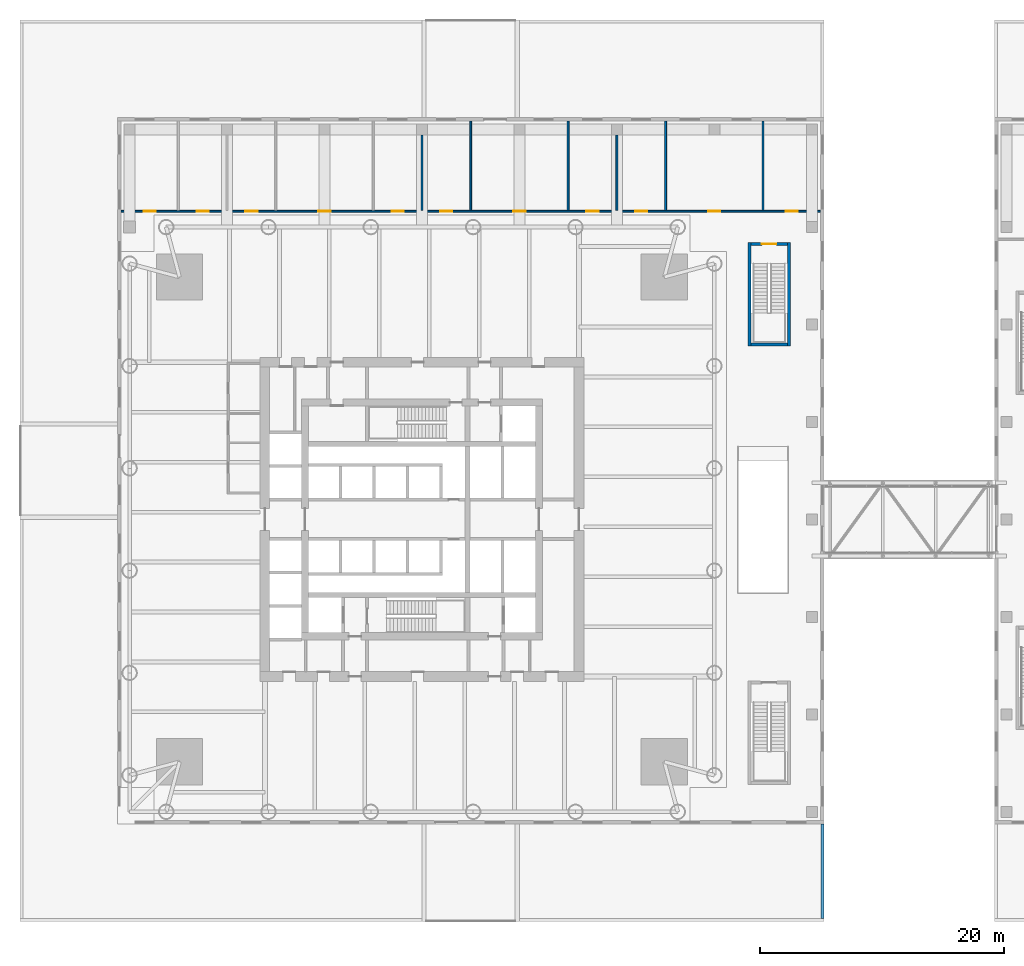
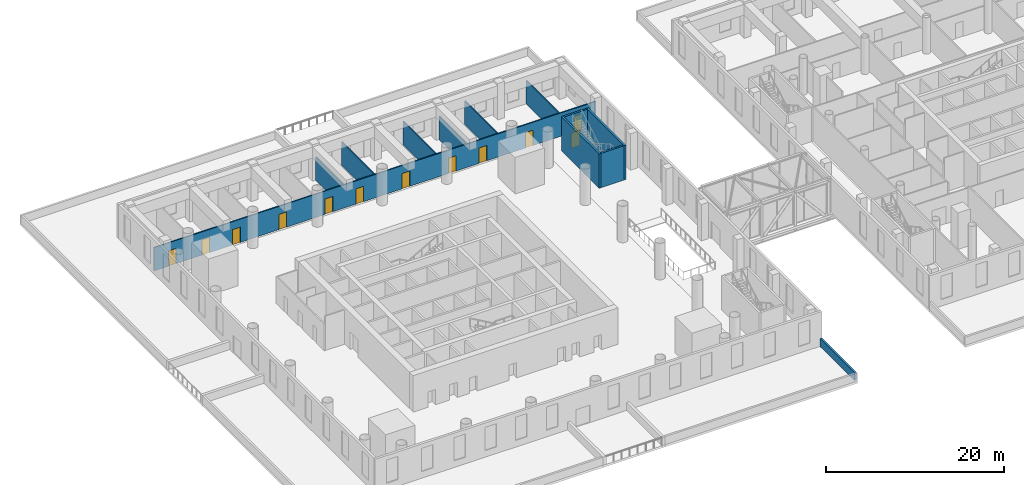
# One storey, part 12 of 23: 12 doors, 12 walls, 12 openings.
"""IFC4 building model written with IfcOpenShell, lengths in metres."""

from ifc_helpers import new_model, si_unit, direction, frame, frame_2d, origin, place, context, subcontext, project, spatial, rectangle, extrude, material, layer, layer_set, type_object, element, fill, save


model = new_model("IFC4")

# Units and contexts
model_context = context("Model", 3, precision=1e-05, world=origin(), true_north=direction((0.0, 1.0)))
body_context = subcontext(model_context, "Body", "Model", "MODEL_VIEW")
ifc_project = project(units=[si_unit("LENGTHUNIT", "METRE"), si_unit("AREAUNIT", "SQUARE_METRE"), si_unit("VOLUMEUNIT", "CUBIC_METRE"), si_unit("PLANEANGLEUNIT", "RADIAN"), si_unit("MASSUNIT", "GRAM", prefix="KILO")], contexts=[model_context])

# Site, building, storey
site_placement = place(None, origin())
site = spatial("IfcSite", under=ifc_project, at=site_placement, CompositionType="ELEMENT")
building_placement = place(site_placement, origin())
building = spatial("IfcBuilding", under=site, at=building_placement, Name="Ostroluk Exchange", CompositionType="ELEMENT")
storey_placement = place(building_placement, frame((0.0, 0.0, 11.0)))
storey = spatial("IfcBuildingStorey", under=building, at=storey_placement, Name="L02", CompositionType="ELEMENT", Elevation=11.0)

# Walls
ifc_material_1 = material(Name="Concrete blockwork", Category="masonry")
ifc_layer_1 = layer(ifc_material_1, 0.25)
ifc_layer_set_1 = layer_set([ifc_layer_1], Name="Blockwork stair enclosure wall 250")
wall_type_1 = type_object("IfcWallType", Name="Blockwork stair enclosure wall 250", PredefinedType="SOLIDWALL", material=ifc_layer_set_1)
for number, where, z_axis, x_axis, name in (
    (1, (71.875, 60.25, 0.0), (0.0, 0.0, 1.0), (0.0, 1.0, 0.0), "Stair PS4 enclosure wall"),
    (2, (75.125, 60.25, 0.0), (0.0, 0.0, 1.0), (0.0, 1.0, 0.0), "Stair PS4 enclosure wall"),
):
    element("IfcWall", number, at=place(storey_placement, frame(where, z_axis=z_axis, x_axis=x_axis)), inside=storey, type_object=wall_type_1, Name=name, PredefinedType="SOLIDWALL", context=body_context, shape_type="SweptSolid", body=[
        extrude(rectangle(XDim=8.5, YDim=0.25, at=frame_2d((4.25, 0.0))), origin(), (0.0, 0.0, 1.0), 4.699951171875),
    ])
wall_1_placement = place(storey_placement, frame((72.0, 60.375, 0.0), z_axis=(0.0, 0.0, 1.0), x_axis=(1.0, 0.0, 0.0)))
element("IfcWall", 3, at=wall_1_placement, inside=storey, type_object=wall_type_1, Name="Stair PS4 enclosure wall", PredefinedType="SOLIDWALL", context=body_context, shape_type="SweptSolid", body=[
    extrude(rectangle(XDim=3.0, YDim=0.25, at=frame_2d((1.5, 0.0))), origin(), (0.0, 0.0, 1.0), 4.699951171875),
])

# Wall, opening, door
wall_2_placement = place(storey_placement, frame((72.0, 68.625, 0.0), z_axis=(0.0, 0.0, 1.0), x_axis=(1.0, 0.0, 0.0)))
wall_2 = element("IfcWall", 4, at=wall_2_placement, inside=storey, type_object=wall_type_1, Name="Stair PS4 enclosure wall", PredefinedType="SOLIDWALL", context=body_context, shape_type="SweptSolid", body=[
    extrude(rectangle(XDim=3.0, YDim=0.25, at=frame_2d((1.5, 0.0))), origin(), (0.0, 0.0, 1.0), 4.699951171875),
])
opening_1_placement = place(wall_2_placement, frame((0.89990234375, 0.0, 0.0)))
opening_1 = element("IfcOpeningElement", 5, at=opening_1_placement, cuts=wall_2, Name="Opening FD60S", PredefinedType="OPENING", context=body_context, shape_type="SweptSolid", body=[
    extrude(rectangle(XDim=1.199951171875, YDim=2.10009765625, at=frame_2d((0.60009765625, 1.050048828125))), frame((0.0, 0.135009765625, 0.0), z_axis=(0.0, -1.0, 0.0), x_axis=(1.0, 0.0, 0.0)), (0.0, 0.0, 1.0), 0.27001953125),
])
ifc_material_2 = material(Name="Steel", Category="steel")
door_type_1 = type_object("IfcDoorType", Name="Stair door EI 60 1200 x 2100", OperationType="SINGLE_SWING_LEFT", PredefinedType="DOOR", material=ifc_material_2)
door_1_placement = place(opening_1_placement, origin())
door_1 = element("IfcDoor", 6, at=door_1_placement, inside=storey, type_object=door_type_1, Name="Stair PS4 door", OperationType="SINGLE_SWING_LEFT", OverallHeight=2.10009765625, OverallWidth=1.199951171875, PredefinedType="DOOR", context=body_context, shape_type="SweptSolid", body=[
    extrude(rectangle(XDim=1.199951171875, YDim=2.10009765625, at=frame_2d((0.60009765625, 1.050048828125))), frame((0.0, 0.02490234375, 0.0), z_axis=(0.0, -1.0, 0.0), x_axis=(1.0, 0.0, 0.0)), (0.0, 0.0, 1.0), 0.050048828125),
])
fill(opening_1, door_1)

# Wall
ifc_material_3 = material(Name="Limestone", Category="masonry")
ifc_layer_2 = layer(ifc_material_3, 0.25)
ifc_layer_set_2 = layer_set([ifc_layer_2], Name="Green roof parapet 250")
wall_type_2 = type_object("IfcWallType", Name="Green roof parapet 250", PredefinedType="PARAPET", material=ifc_layer_set_2)
wall_3_placement = place(storey_placement, frame((77.875, 13.25, 0.0), z_axis=(0.0, 0.0, 1.0), x_axis=(0.0, 1.0, 0.0)))
element("IfcWall", 7, at=wall_3_placement, inside=storey, type_object=wall_type_2, Name="Green roof parapet L02 2", PredefinedType="PARAPET", context=body_context, shape_type="SweptSolid", body=[
    extrude(rectangle(XDim=7.739990234375, YDim=0.25, at=frame_2d((3.8701171875, 0.0))), origin(), (0.0, 0.0, 1.0), 1.10009765625),
])

# Wall, openings, doors
ifc_material_4 = material(Name="Gypsum plasterboard partition", Category="gypsum")
ifc_layer_3 = layer(ifc_material_4, 0.14990234375)
ifc_layer_set_3 = layer_set([ifc_layer_3], Name="Plasterboard partition 150")
wall_type_3 = type_object("IfcWallType", Name="Plasterboard partition 150", PredefinedType="PARTITIONING", material=ifc_layer_set_3)
wall_4_placement = place(storey_placement, frame((20.300048828125, 71.300048828125, 0.0), z_axis=(0.0, 0.0, 1.0), x_axis=(1.0, 0.0, 0.0)))
wall_4 = element("IfcWall", 8, at=wall_4_placement, inside=storey, type_object=wall_type_3, Name="Partition", PredefinedType="PARTITIONING", context=body_context, shape_type="SweptSolid", body=[
    extrude(rectangle(XDim=57.39990234375, YDim=0.14990234375, at=frame_2d((28.699951171875, 0.0))), origin(), (0.0, 0.0, 1.0), 3.199951171875),
])
opening_2_placement = place(wall_4_placement, frame((1.85009765625, 0.0, 0.0)))
opening_2 = element("IfcOpeningElement", 9, at=opening_2_placement, cuts=wall_4, Name="Opening D-03", PredefinedType="OPENING", context=body_context, shape_type="SweptSolid", body=[
    extrude(rectangle(XDim=1.0, YDim=2.10009765625, at=frame_2d((0.5, 1.050048828125))), frame((0.0, 0.0849609375, 0.0), z_axis=(0.0, -1.0, 0.0), x_axis=(1.0, 0.0, 0.0)), (0.0, 0.0, 1.0), 0.169921875),
])
opening_3_placement = place(wall_4_placement, frame((6.199951171875, 0.0, 0.0)))
opening_3 = element("IfcOpeningElement", 10, at=opening_3_placement, cuts=wall_4, Name="Opening D-03", PredefinedType="OPENING", context=body_context, shape_type="SweptSolid", body=[
    extrude(rectangle(XDim=1.0, YDim=2.10009765625, at=frame_2d((0.5, 1.050048828125))), frame((0.0, 0.0849609375, 0.0), z_axis=(0.0, -1.0, 0.0), x_axis=(1.0, 0.0, 0.0)), (0.0, 0.0, 1.0), 0.169921875),
])
opening_4_placement = place(wall_4_placement, frame((10.199951171875, 0.0, 0.0)))
opening_4 = element("IfcOpeningElement", 11, at=opening_4_placement, cuts=wall_4, Name="Opening D-03", PredefinedType="OPENING", context=body_context, shape_type="SweptSolid", body=[
    extrude(rectangle(XDim=1.0, YDim=2.10009765625, at=frame_2d((0.5, 1.050048828125))), frame((0.0, 0.0849609375, 0.0), z_axis=(0.0, -1.0, 0.0), x_axis=(1.0, 0.0, 0.0)), (0.0, 0.0, 1.0), 0.169921875),
])
opening_5_placement = place(wall_4_placement, frame((16.199951171875, 0.0, 0.0)))
opening_5 = element("IfcOpeningElement", 12, at=opening_5_placement, cuts=wall_4, Name="Opening D-03", PredefinedType="OPENING", context=body_context, shape_type="SweptSolid", body=[
    extrude(rectangle(XDim=1.0, YDim=2.10009765625, at=frame_2d((0.5, 1.050048828125))), frame((0.0, 0.0849609375, 0.0), z_axis=(0.0, -1.0, 0.0), x_axis=(1.0, 0.0, 0.0)), (0.0, 0.0, 1.0), 0.169921875),
])
opening_6_placement = place(wall_4_placement, frame((22.199951171875, 0.0, 0.0)))
opening_6 = element("IfcOpeningElement", 13, at=opening_6_placement, cuts=wall_4, Name="Opening D-03", PredefinedType="OPENING", context=body_context, shape_type="SweptSolid", body=[
    extrude(rectangle(XDim=1.0, YDim=2.10009765625, at=frame_2d((0.5, 1.050048828125))), frame((0.0, 0.0849609375, 0.0), z_axis=(0.0, -1.0, 0.0), x_axis=(1.0, 0.0, 0.0)), (0.0, 0.0, 1.0), 0.169921875),
])
opening_7_placement = place(wall_4_placement, frame((26.199951171875, 0.0, 0.0)))
opening_7 = element("IfcOpeningElement", 14, at=opening_7_placement, cuts=wall_4, Name="Opening D-03", PredefinedType="OPENING", context=body_context, shape_type="SweptSolid", body=[
    extrude(rectangle(XDim=1.0, YDim=2.10009765625, at=frame_2d((0.5, 1.050048828125))), frame((0.0, 0.0849609375, 0.0), z_axis=(0.0, -1.0, 0.0), x_axis=(1.0, 0.0, 0.0)), (0.0, 0.0, 1.0), 0.169921875),
])
opening_8_placement = place(wall_4_placement, frame((32.199951171875, 0.0, 0.0)))
opening_8 = element("IfcOpeningElement", 15, at=opening_8_placement, cuts=wall_4, Name="Opening D-03", PredefinedType="OPENING", context=body_context, shape_type="SweptSolid", body=[
    extrude(rectangle(XDim=1.0, YDim=2.10009765625, at=frame_2d((0.5, 1.050048828125))), frame((0.0, 0.0849609375, 0.0), z_axis=(0.0, -1.0, 0.0), x_axis=(1.0, 0.0, 0.0)), (0.0, 0.0, 1.0), 0.169921875),
])
opening_9_placement = place(wall_4_placement, frame((38.199951171875, 0.0, 0.0)))
opening_9 = element("IfcOpeningElement", 16, at=opening_9_placement, cuts=wall_4, Name="Opening D-03", PredefinedType="OPENING", context=body_context, shape_type="SweptSolid", body=[
    extrude(rectangle(XDim=1.0, YDim=2.10009765625, at=frame_2d((0.5, 1.050048828125))), frame((0.0, 0.0849609375, 0.0), z_axis=(0.0, -1.0, 0.0), x_axis=(1.0, 0.0, 0.0)), (0.0, 0.0, 1.0), 0.169921875),
])
opening_10_placement = place(wall_4_placement, frame((42.199951171875, 0.0, 0.0)))
opening_10 = element("IfcOpeningElement", 17, at=opening_10_placement, cuts=wall_4, Name="Opening D-03", PredefinedType="OPENING", context=body_context, shape_type="SweptSolid", body=[
    extrude(rectangle(XDim=1.0, YDim=2.10009765625, at=frame_2d((0.5, 1.050048828125))), frame((0.0, 0.0849609375, 0.0), z_axis=(0.0, -1.0, 0.0), x_axis=(1.0, 0.0, 0.0)), (0.0, 0.0, 1.0), 0.169921875),
])
opening_11_placement = place(wall_4_placement, frame((48.199951171875, 0.0, 0.0)))
opening_11 = element("IfcOpeningElement", 18, at=opening_11_placement, cuts=wall_4, Name="Opening D-03", PredefinedType="OPENING", context=body_context, shape_type="SweptSolid", body=[
    extrude(rectangle(XDim=1.0, YDim=2.10009765625, at=frame_2d((0.5, 1.050048828125))), frame((0.0, 0.0849609375, 0.0), z_axis=(0.0, -1.0, 0.0), x_axis=(1.0, 0.0, 0.0)), (0.0, 0.0, 1.0), 0.169921875),
])
opening_12_placement = place(wall_4_placement, frame((54.550048828125, 0.0, 0.0)))
opening_12 = element("IfcOpeningElement", 19, at=opening_12_placement, cuts=wall_4, Name="Opening D-03", PredefinedType="OPENING", context=body_context, shape_type="SweptSolid", body=[
    extrude(rectangle(XDim=1.0, YDim=2.10009765625, at=frame_2d((0.5, 1.050048828125))), frame((0.0, 0.0849609375, 0.0), z_axis=(0.0, -1.0, 0.0), x_axis=(1.0, 0.0, 0.0)), (0.0, 0.0, 1.0), 0.169921875),
])
ifc_material_5 = material(Name="Timber", Category="wood")
door_type_2 = type_object("IfcDoorType", Name="Internal door 1000 x 2100", OperationType="SINGLE_SWING_LEFT", PredefinedType="DOOR", material=ifc_material_5)
door_2_placement = place(opening_2_placement, origin())
door_2 = element("IfcDoor", 20, at=door_2_placement, inside=storey, type_object=door_type_2, Name="Meeting room door", OperationType="SINGLE_SWING_LEFT", OverallHeight=2.10009765625, OverallWidth=1.0, PredefinedType="DOOR", context=body_context, shape_type="SweptSolid", body=[
    extrude(rectangle(XDim=1.0, YDim=2.10009765625, at=frame_2d((0.5, 1.050048828125))), frame((0.0, 0.02490234375, 0.0), z_axis=(0.0, -1.0, 0.0), x_axis=(1.0, 0.0, 0.0)), (0.0, 0.0, 1.0), 0.050048828125),
])
fill(opening_2, door_2)
door_3_placement = place(opening_3_placement, origin())
door_3 = element("IfcDoor", 21, at=door_3_placement, inside=storey, type_object=door_type_2, Name="Meeting room door", OperationType="SINGLE_SWING_LEFT", OverallHeight=2.10009765625, OverallWidth=1.0, PredefinedType="DOOR", context=body_context, shape_type="SweptSolid", body=[
    extrude(rectangle(XDim=1.0, YDim=2.10009765625, at=frame_2d((0.5, 1.050048828125))), frame((0.0, 0.02490234375, 0.0), z_axis=(0.0, -1.0, 0.0), x_axis=(1.0, 0.0, 0.0)), (0.0, 0.0, 1.0), 0.050048828125),
])
fill(opening_3, door_3)
door_4_placement = place(opening_4_placement, origin())
door_4 = element("IfcDoor", 22, at=door_4_placement, inside=storey, type_object=door_type_2, Name="Meeting room door", OperationType="SINGLE_SWING_LEFT", OverallHeight=2.10009765625, OverallWidth=1.0, PredefinedType="DOOR", context=body_context, shape_type="SweptSolid", body=[
    extrude(rectangle(XDim=1.0, YDim=2.10009765625, at=frame_2d((0.5, 1.050048828125))), frame((0.0, 0.02490234375, 0.0), z_axis=(0.0, -1.0, 0.0), x_axis=(1.0, 0.0, 0.0)), (0.0, 0.0, 1.0), 0.050048828125),
])
fill(opening_4, door_4)
door_5_placement = place(opening_5_placement, origin())
door_5 = element("IfcDoor", 23, at=door_5_placement, inside=storey, type_object=door_type_2, Name="Meeting room door", OperationType="SINGLE_SWING_LEFT", OverallHeight=2.10009765625, OverallWidth=1.0, PredefinedType="DOOR", context=body_context, shape_type="SweptSolid", body=[
    extrude(rectangle(XDim=1.0, YDim=2.10009765625, at=frame_2d((0.5, 1.050048828125))), frame((0.0, 0.02490234375, 0.0), z_axis=(0.0, -1.0, 0.0), x_axis=(1.0, 0.0, 0.0)), (0.0, 0.0, 1.0), 0.050048828125),
])
fill(opening_5, door_5)
door_6_placement = place(opening_6_placement, origin())
door_6 = element("IfcDoor", 24, at=door_6_placement, inside=storey, type_object=door_type_2, Name="Meeting room door", OperationType="SINGLE_SWING_LEFT", OverallHeight=2.10009765625, OverallWidth=1.0, PredefinedType="DOOR", context=body_context, shape_type="SweptSolid", body=[
    extrude(rectangle(XDim=1.0, YDim=2.10009765625, at=frame_2d((0.5, 1.050048828125))), frame((0.0, 0.02490234375, 0.0), z_axis=(0.0, -1.0, 0.0), x_axis=(1.0, 0.0, 0.0)), (0.0, 0.0, 1.0), 0.050048828125),
])
fill(opening_6, door_6)
door_7_placement = place(opening_7_placement, origin())
door_7 = element("IfcDoor", 25, at=door_7_placement, inside=storey, type_object=door_type_2, Name="Meeting room door", OperationType="SINGLE_SWING_LEFT", OverallHeight=2.10009765625, OverallWidth=1.0, PredefinedType="DOOR", context=body_context, shape_type="SweptSolid", body=[
    extrude(rectangle(XDim=1.0, YDim=2.10009765625, at=frame_2d((0.5, 1.050048828125))), frame((0.0, 0.02490234375, 0.0), z_axis=(0.0, -1.0, 0.0), x_axis=(1.0, 0.0, 0.0)), (0.0, 0.0, 1.0), 0.050048828125),
])
fill(opening_7, door_7)
door_8_placement = place(opening_8_placement, origin())
door_8 = element("IfcDoor", 26, at=door_8_placement, inside=storey, type_object=door_type_2, Name="Meeting room door", OperationType="SINGLE_SWING_RIGHT", OverallHeight=2.10009765625, OverallWidth=1.0, PredefinedType="DOOR", context=body_context, shape_type="SweptSolid", body=[
    extrude(rectangle(XDim=1.0, YDim=2.10009765625, at=frame_2d((0.5, 1.050048828125))), frame((0.0, 0.02490234375, 0.0), z_axis=(0.0, -1.0, 0.0), x_axis=(1.0, 0.0, 0.0)), (0.0, 0.0, 1.0), 0.050048828125),
])
fill(opening_8, door_8)
door_9_placement = place(opening_9_placement, origin())
door_9 = element("IfcDoor", 27, at=door_9_placement, inside=storey, type_object=door_type_2, Name="Meeting room door", OperationType="SINGLE_SWING_RIGHT", OverallHeight=2.10009765625, OverallWidth=1.0, PredefinedType="DOOR", context=body_context, shape_type="SweptSolid", body=[
    extrude(rectangle(XDim=1.0, YDim=2.10009765625, at=frame_2d((0.5, 1.050048828125))), frame((0.0, 0.02490234375, 0.0), z_axis=(0.0, -1.0, 0.0), x_axis=(1.0, 0.0, 0.0)), (0.0, 0.0, 1.0), 0.050048828125),
])
fill(opening_9, door_9)
door_10_placement = place(opening_10_placement, origin())
door_10 = element("IfcDoor", 28, at=door_10_placement, inside=storey, type_object=door_type_2, Name="Meeting room door", OperationType="SINGLE_SWING_RIGHT", OverallHeight=2.10009765625, OverallWidth=1.0, PredefinedType="DOOR", context=body_context, shape_type="SweptSolid", body=[
    extrude(rectangle(XDim=1.0, YDim=2.10009765625, at=frame_2d((0.5, 1.050048828125))), frame((0.0, 0.02490234375, 0.0), z_axis=(0.0, -1.0, 0.0), x_axis=(1.0, 0.0, 0.0)), (0.0, 0.0, 1.0), 0.050048828125),
])
fill(opening_10, door_10)
door_11_placement = place(opening_11_placement, origin())
door_11 = element("IfcDoor", 29, at=door_11_placement, inside=storey, type_object=door_type_2, Name="Meeting room door", OperationType="SINGLE_SWING_RIGHT", OverallHeight=2.10009765625, OverallWidth=1.0, PredefinedType="DOOR", context=body_context, shape_type="SweptSolid", body=[
    extrude(rectangle(XDim=1.0, YDim=2.10009765625, at=frame_2d((0.5, 1.050048828125))), frame((0.0, 0.02490234375, 0.0), z_axis=(0.0, -1.0, 0.0), x_axis=(1.0, 0.0, 0.0)), (0.0, 0.0, 1.0), 0.050048828125),
])
fill(opening_11, door_11)
door_12_placement = place(opening_12_placement, origin())
door_12 = element("IfcDoor", 30, at=door_12_placement, inside=storey, type_object=door_type_2, Name="Meeting room door", OperationType="SINGLE_SWING_RIGHT", OverallHeight=2.10009765625, OverallWidth=1.0, PredefinedType="DOOR", context=body_context, shape_type="SweptSolid", body=[
    extrude(rectangle(XDim=1.0, YDim=2.10009765625, at=frame_2d((0.5, 1.050048828125))), frame((0.0, 0.02490234375, 0.0), z_axis=(0.0, -1.0, 0.0), x_axis=(1.0, 0.0, 0.0)), (0.0, 0.0, 1.0), 0.050048828125),
])
fill(opening_12, door_12)

# Walls
wall_5_placement = place(storey_placement, frame((45.0, 71.375, 0.0), z_axis=(0.0, 0.0, 1.0), x_axis=(0.0, 1.0, 0.0)))
element("IfcWall", 31, at=wall_5_placement, inside=storey, type_object=wall_type_3, Name="Partition", PredefinedType="PARTITIONING", context=body_context, shape_type="SweptSolid", body=[
    extrude(rectangle(XDim=6.175048828125, YDim=0.14990234375, at=frame_2d((3.08740234375, 0.0))), origin(), (0.0, 0.0, 1.0), 3.199951171875),
])
for number, where, z_axis, x_axis, name in (
    (32, (49.0, 71.375, 0.0), (0.0, 0.0, 1.0), (0.0, 1.0, 0.0), "Partition"),
    (33, (57.0, 71.375, 0.0), (0.0, 0.0, 1.0), (0.0, 1.0, 0.0), "Partition"),
):
    element("IfcWall", number, at=place(storey_placement, frame(where, z_axis=z_axis, x_axis=x_axis)), inside=storey, type_object=wall_type_3, Name=name, PredefinedType="PARTITIONING", context=body_context, shape_type="SweptSolid", body=[
        extrude(rectangle(XDim=7.324951171875, YDim=0.14990234375, at=frame_2d((3.66259765625, 0.0))), origin(), (0.0, 0.0, 1.0), 3.199951171875),
    ])
wall_6_placement = place(storey_placement, frame((61.0, 71.375, 0.0), z_axis=(0.0, 0.0, 1.0), x_axis=(0.0, 1.0, 0.0)))
element("IfcWall", 34, at=wall_6_placement, inside=storey, type_object=wall_type_3, Name="Partition", PredefinedType="PARTITIONING", context=body_context, shape_type="SweptSolid", body=[
    extrude(rectangle(XDim=6.175048828125, YDim=0.14990234375, at=frame_2d((3.08740234375, 0.0))), origin(), (0.0, 0.0, 1.0), 3.199951171875),
])
for number, where, z_axis, x_axis, name in (
    (35, (65.0, 71.375, 0.0), (0.0, 0.0, 1.0), (0.0, 1.0, 0.0), "Partition"),
    (36, (73.0, 71.375, 0.0), (0.0, 0.0, 1.0), (0.0, 1.0, 0.0), "Partition"),
):
    element("IfcWall", number, at=place(storey_placement, frame(where, z_axis=z_axis, x_axis=x_axis)), inside=storey, type_object=wall_type_3, Name=name, PredefinedType="PARTITIONING", context=body_context, shape_type="SweptSolid", body=[
        extrude(rectangle(XDim=7.324951171875, YDim=0.14990234375, at=frame_2d((3.66259765625, 0.0))), origin(), (0.0, 0.0, 1.0), 3.199951171875),
    ])

save(model, "model.ifc")
